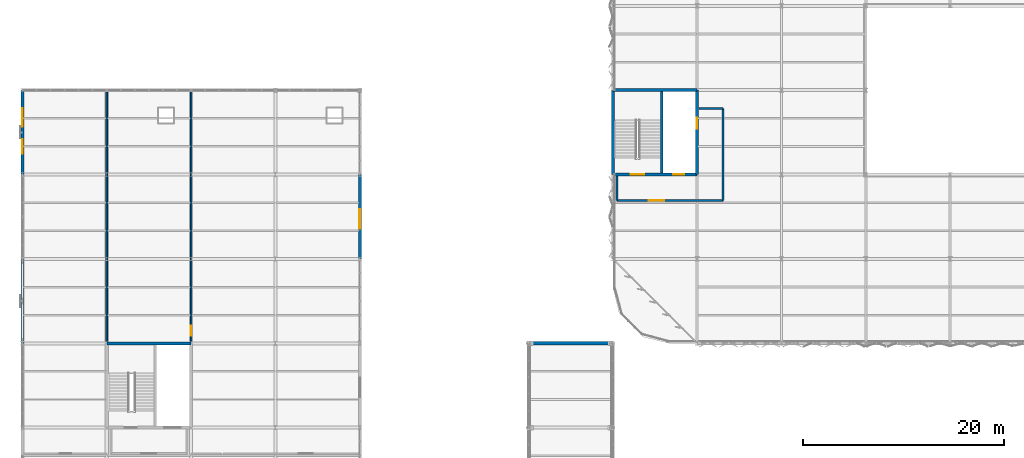
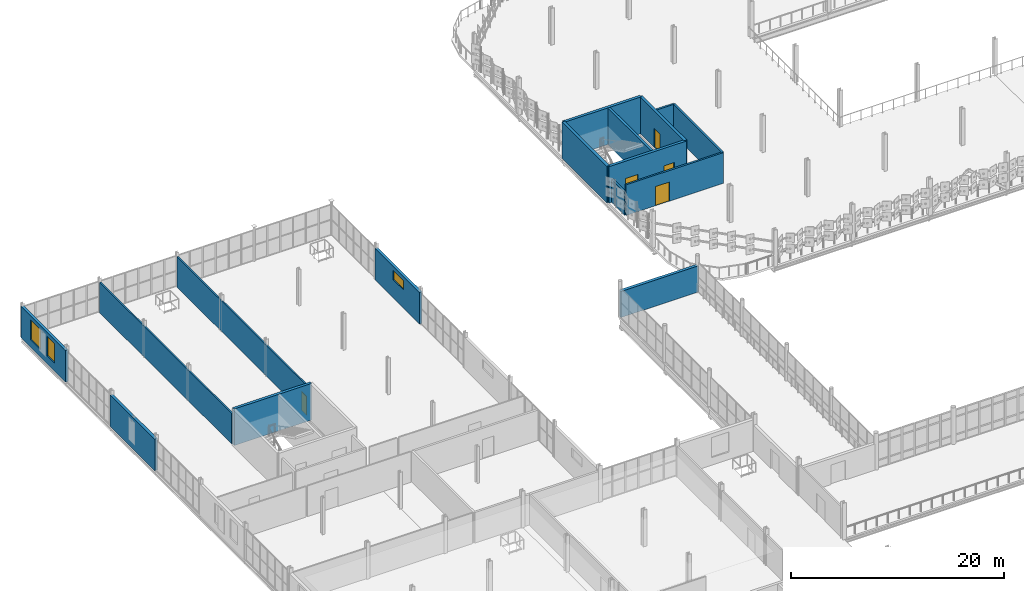
# One storey, part 135 of 163: 16 walls, 5 doors, 3 windows, 8 openings.
"""IFC4 building model written with IfcOpenShell, lengths in metres."""

from ifc_helpers import new_model, si_unit, direction, frame, frame_2d, origin, place, context, subcontext, project, spatial, rectangle, extrude, material, layer, layer_set, type_object, element, fill, save


model = new_model("IFC4")

# Units and contexts
model_context = context("Model", 3, precision=1e-05, world=origin(), true_north=direction((0.0, 1.0)))
body_context = subcontext(model_context, "Body", "Model", "MODEL_VIEW")
ifc_project = project(units=[si_unit("LENGTHUNIT", "METRE"), si_unit("AREAUNIT", "SQUARE_METRE"), si_unit("VOLUMEUNIT", "CUBIC_METRE"), si_unit("PLANEANGLEUNIT", "RADIAN"), si_unit("MASSUNIT", "GRAM", prefix="KILO")], contexts=[model_context])

# Site, building, storey
site_placement = place(None, origin())
site = spatial("IfcSite", under=ifc_project, at=site_placement, CompositionType="ELEMENT")
building_placement = place(site_placement, origin())
building = spatial("IfcBuilding", under=site, at=building_placement, Name="Qalvenar Corner Mobility Hub", CompositionType="ELEMENT")
storey_placement = place(building_placement, frame((0.0, 0.0, 4.800048828125)))
storey = spatial("IfcBuildingStorey", under=building, at=storey_placement, Name="L01", CompositionType="ELEMENT", Elevation=4.800048828125)

# Wall
ifc_material_1 = material(Name="Concrete C40/50", Category="concrete")
ifc_layer_1 = layer(ifc_material_1, 0.25)
ifc_layer_set_1 = layer_set([ifc_layer_1], Name="Concrete C40/50")
wall_type_1 = type_object("IfcWallType", Name="WL-CORE250", PredefinedType="SHEAR", material=ifc_layer_set_1)
wall_1_placement = place(storey_placement, frame((63.64990234375, 84.14990234375, 0.0), z_axis=(0.0, 0.0, 1.0), x_axis=(0.0, 1.0, 0.0)))
element("IfcWall", 1, at=wall_1_placement, inside=storey, type_object=wall_type_1, Name="Core Divider Wall C3-L01", PredefinedType="SHEAR", context=body_context, shape_type="SweptSolid", body=[
    extrude(rectangle(XDim=8.10009765625, YDim=0.25, at=frame_2d((4.050048828125, 0.0))), origin(), (0.0, 0.0, 1.0), 4.199951171875),
])

# Wall, openings, doors
ifc_layer_2 = layer(ifc_material_1, 0.300048828125)
ifc_layer_set_2 = layer_set([ifc_layer_2], Name="Concrete C40/50")
wall_type_2 = type_object("IfcWallType", Name="WL-CORE300", PredefinedType="SHEAR", material=ifc_layer_set_2)
wall_2_placement = place(storey_placement, frame((58.800048828125, 84.0, 0.0), z_axis=(0.0, 0.0, 1.0), x_axis=(1.0, 0.0, 0.0)))
wall_2 = element("IfcWall", 2, at=wall_2_placement, inside=storey, type_object=wall_type_2, Name="Core Shear Wall C3-L01-S", PredefinedType="SHEAR", context=body_context, shape_type="SweptSolid", body=[
    extrude(rectangle(XDim=8.39990234375, YDim=0.300048828125, at=frame_2d((4.199951171875, 0.0))), origin(), (0.0, 0.0, 1.0), 4.199951171875),
])
opening_1_placement = place(wall_2_placement, frame((1.800048828125, 0.0, 0.0)))
opening_1 = element("IfcOpeningElement", 3, at=opening_1_placement, cuts=wall_2, Name="Opening DR-123", PredefinedType="OPENING", context=body_context, shape_type="SweptSolid", body=[
    extrude(rectangle(XDim=1.35009765625, YDim=2.199951171875, at=frame_2d((0.675048828125, 1.10009765625))), frame((0.0, 0.16015625, 0.0), z_axis=(0.0, -1.0, 0.0), x_axis=(1.0, 0.0, 0.0)), (0.0, 0.0, 1.0), 0.320068359375),
])
opening_2_placement = place(wall_2_placement, frame((6.0, 0.0, 0.0)))
opening_2 = element("IfcOpeningElement", 4, at=opening_2_placement, cuts=wall_2, Name="Opening DR-124", PredefinedType="OPENING", context=body_context, shape_type="SweptSolid", body=[
    extrude(rectangle(XDim=1.10009765625, YDim=2.199951171875, at=frame_2d((0.550048828125, 1.10009765625))), frame((0.0, 0.16015625, 0.0), z_axis=(0.0, -1.0, 0.0), x_axis=(1.0, 0.0, 0.0)), (0.0, 0.0, 1.0), 0.320068359375),
])
ifc_material_2 = material(Name="Stainless Steel Lift Landing Door", Category="steel")
door_type_1 = type_object("IfcDoorType", Name="DR-LIFT-110", OperationType="SLIDING_TO_LEFT", PredefinedType="DOOR", material=ifc_material_2)
door_1_placement = place(opening_2_placement, origin())
door_1 = element("IfcDoor", 5, at=door_1_placement, inside=storey, type_object=door_type_1, Name="DR-124 Lift Landing Door LP2-L01", OperationType="SLIDING_TO_LEFT", OverallHeight=2.199951171875, OverallWidth=1.10009765625, PredefinedType="DOOR", context=body_context, shape_type="SweptSolid", body=[
    extrude(rectangle(XDim=1.10009765625, YDim=2.199951171875, at=frame_2d((0.550048828125, 1.10009765625))), frame((0.0, 0.02490234375, 0.0), z_axis=(0.0, -1.0, 0.0), x_axis=(1.0, 0.0, 0.0)), (0.0, 0.0, 1.0), 0.050048828125),
])
fill(opening_2, door_1)
ifc_material_3 = material(Name="Fire-Rated Steel Stair Door FD90", Category="steel")
door_type_2 = type_object("IfcDoorType", Name="DR-STAIR-135", OperationType="NOTDEFINED", PredefinedType="DOOR", material=ifc_material_3)
door_2_placement = place(opening_1_placement, origin())
door_2 = element("IfcDoor", 6, at=door_2_placement, inside=storey, type_object=door_type_2, Name="DR-123 Stair Fire Door ST3-L01", OperationType="SINGLE_SWING_RIGHT", OverallHeight=2.199951171875, OverallWidth=1.35009765625, PredefinedType="DOOR", context=body_context, shape_type="SweptSolid", body=[
    extrude(rectangle(XDim=1.35009765625, YDim=2.199951171875, at=frame_2d((0.675048828125, 1.10009765625))), frame((0.0, 0.02490234375, 0.0), z_axis=(0.0, -1.0, 0.0), x_axis=(1.0, 0.0, 0.0)), (0.0, 0.0, 1.0), 0.050048828125),
])
fill(opening_1, door_2)

# Wall, opening, door
wall_3_placement = place(storey_placement, frame((67.199951171875, 84.0, 0.0), z_axis=(0.0, 0.0, 1.0), x_axis=(0.0, 1.0, 0.0)))
wall_3 = element("IfcWall", 7, at=wall_3_placement, inside=storey, type_object=wall_type_2, Name="Core Shear Wall C3-L01-E", PredefinedType="SHEAR", context=body_context, shape_type="SweptSolid", body=[
    extrude(rectangle(XDim=8.39990234375, YDim=0.300048828125, at=frame_2d((4.199951171875, 0.0))), origin(), (0.0, 0.0, 1.0), 4.199951171875),
])
opening_3_placement = place(wall_3_placement, frame((4.550048828125, 0.0, 0.0)))
opening_3 = element("IfcOpeningElement", 8, at=opening_3_placement, cuts=wall_3, Name="Opening DR-125", PredefinedType="OPENING", context=body_context, shape_type="SweptSolid", body=[
    extrude(rectangle(XDim=1.10009765625, YDim=2.199951171875, at=frame_2d((0.550048828125, 1.10009765625))), frame((0.0, 0.16015625, 0.0), z_axis=(0.0, -1.0, 0.0), x_axis=(1.0, 0.0, 0.0)), (0.0, 0.0, 1.0), 0.320068359375),
])
door_3_placement = place(opening_3_placement, origin())
door_3 = element("IfcDoor", 9, at=door_3_placement, inside=storey, type_object=door_type_1, Name="DR-125 Lift Landing Door LP3-L01", OperationType="SLIDING_TO_RIGHT", OverallHeight=2.199951171875, OverallWidth=1.10009765625, PredefinedType="DOOR", context=body_context, shape_type="SweptSolid", body=[
    extrude(rectangle(XDim=1.10009765625, YDim=2.199951171875, at=frame_2d((0.550048828125, 1.10009765625))), frame((0.0, 0.02490234375, 0.0), z_axis=(0.0, -1.0, 0.0), x_axis=(1.0, 0.0, 0.0)), (0.0, 0.0, 1.0), 0.050048828125),
])
fill(opening_3, door_3)

# Walls
for number, where, z_axis, x_axis, name in (
    (10, (67.199951171875, 92.39990234375, 0.0), (0.0, 0.0, 1.0), (-1.0, 0.0, 0.0), "Core Shear Wall C3-L01-N"),
    (11, (58.800048828125, 92.39990234375, 0.0), (0.0, 0.0, 1.0), (0.0, -1.0, 0.0), "Core Shear Wall C3-L01-W"),
):
    element("IfcWall", number, at=place(storey_placement, frame(where, z_axis=z_axis, x_axis=x_axis)), inside=storey, type_object=wall_type_2, Name=name, PredefinedType="SHEAR", context=body_context, shape_type="SweptSolid", body=[
        extrude(rectangle(XDim=8.39990234375, YDim=0.300048828125, at=frame_2d((4.199951171875, 0.0))), origin(), (0.0, 0.0, 1.0), 4.199951171875),
    ])
wall_4_placement = place(storey_placement, frame((16.800048828125, 67.199951171875, 0.0), z_axis=(0.0, 0.0, 1.0), x_axis=(-1.0, 0.0, 0.0)))
element("IfcWall", 12, at=wall_4_placement, inside=storey, type_object=wall_type_2, Name="Core Shear Wall C5-L01-N", PredefinedType="SHEAR", context=body_context, shape_type="SweptSolid", body=[
    extrude(rectangle(XDim=8.400146484375, YDim=0.300048828125, at=frame_2d((4.2001953125, 0.0))), origin(), (0.0, 0.0, 1.0), 4.199951171875),
])
ifc_material_4 = material(Name="Lahori Fired Clay Brick Masonry", Category="masonry")
ifc_layer_3 = layer(ifc_material_4, 0.300048828125)
ifc_layer_set_3 = layer_set([ifc_layer_3], Name="Lahori Fired Clay Brick Masonry")
wall_type_3 = type_object("IfcWallType", Name="WL-EXT-BRK300", PredefinedType="STANDARD", material=ifc_layer_set_3)
wall_5_placement = place(storey_placement, frame((0.0, 75.60009765625, 0.0), z_axis=(0.0, 0.0, 1.0), x_axis=(0.0, -1.0, 0.0)))
element("IfcWall", 13, at=wall_5_placement, inside=storey, type_object=wall_type_3, Name="Exterior Facade Wall EW-V5-L01-W3", PredefinedType="STANDARD", context=body_context, shape_type="SweptSolid", body=[
    extrude(rectangle(XDim=8.400146484375, YDim=0.300048828125, at=frame_2d((4.2001953125, 0.0))), origin(), (0.0, 0.0, 1.0), 3.619873046875),
])

# Wall, openings, windows
wall_6_placement = place(storey_placement, frame((0.0, 92.39990234375, 0.0), z_axis=(0.0, 0.0, 1.0), x_axis=(0.0, -1.0, 0.0)))
wall_6 = element("IfcWall", 14, at=wall_6_placement, inside=storey, type_object=wall_type_3, Name="Exterior Facade Wall EW-V5-L01-W5", PredefinedType="STANDARD", context=body_context, shape_type="SweptSolid", body=[
    extrude(rectangle(XDim=8.39990234375, YDim=0.300048828125, at=frame_2d((4.199951171875, 0.0))), origin(), (0.0, 0.0, 1.0), 3.619873046875),
])
opening_4_placement = place(wall_6_placement, frame((1.800048828125, 0.0, 0.89990234375)))
opening_4 = element("IfcOpeningElement", 15, at=opening_4_placement, cuts=wall_6, Name="Opening W-33", PredefinedType="OPENING", context=body_context, shape_type="SweptSolid", body=[
    extrude(rectangle(XDim=1.85009765625, YDim=2.25, at=frame_2d((0.925048828125, 1.125))), frame((0.0, 0.16015625, 0.0), z_axis=(0.0, -1.0, 0.0), x_axis=(1.0, 0.0, 0.0)), (0.0, 0.0, 1.0), 0.320068359375),
])
opening_5_placement = place(wall_6_placement, frame((4.89990234375, 0.0, 0.89990234375)))
opening_5 = element("IfcOpeningElement", 16, at=opening_5_placement, cuts=wall_6, Name="Opening W-34", PredefinedType="OPENING", context=body_context, shape_type="SweptSolid", body=[
    extrude(rectangle(XDim=1.449951171875, YDim=2.25, at=frame_2d((0.72509765625, 1.125))), frame((0.0, 0.16015625, 0.0), z_axis=(0.0, -1.0, 0.0), x_axis=(1.0, 0.0, 0.0)), (0.0, 0.0, 1.0), 0.320068359375),
])
ifc_material_5 = material(Name="Solar-Control Double-Glazed Bronze Window", Category="glass")
window_type_1 = type_object("IfcWindowType", Name="WN-CYC-145X225", PartitioningType="SINGLE_PANEL", PredefinedType="WINDOW", material=ifc_material_5)
window_1_placement = place(opening_5_placement, origin())
window_1 = element("IfcWindow", 17, at=window_1_placement, inside=storey, type_object=window_type_1, Name="Facade Window EW-V5-L01-W5-W2", OverallHeight=2.25, OverallWidth=1.449951171875, PartitioningType="SINGLE_PANEL", PredefinedType="WINDOW", context=body_context, shape_type="SweptSolid", body=[
    extrude(rectangle(XDim=1.449951171875, YDim=2.25, at=frame_2d((0.72509765625, 1.125))), frame((0.0, 0.030029296875, 0.0), z_axis=(0.0, -1.0, 0.0), x_axis=(1.0, 0.0, 0.0)), (0.0, 0.0, 1.0), 0.06005859375),
])
fill(opening_5, window_1)
window_type_2 = type_object("IfcWindowType", Name="WN-CYC-185X225", PartitioningType="DOUBLE_PANEL_VERTICAL", PredefinedType="WINDOW", material=ifc_material_5)
window_2_placement = place(opening_4_placement, origin())
window_2 = element("IfcWindow", 18, at=window_2_placement, inside=storey, type_object=window_type_2, Name="Facade Window EW-V5-L01-W5-W1", OverallHeight=2.25, OverallWidth=1.85009765625, PartitioningType="SINGLE_PANEL", PredefinedType="WINDOW", context=body_context, shape_type="SweptSolid", body=[
    extrude(rectangle(XDim=1.85009765625, YDim=2.25, at=frame_2d((0.925048828125, 1.125))), frame((0.0, 0.030029296875, 0.0), z_axis=(0.0, -1.0, 0.0), x_axis=(1.0, 0.0, 0.0)), (0.0, 0.0, 1.0), 0.06005859375),
])
fill(opening_4, window_2)

# Wall, opening, window
wall_7_placement = place(storey_placement, frame((33.60009765625, 75.60009765625, 0.0), z_axis=(0.0, 0.0, 1.0), x_axis=(0.0, 1.0, 0.0)))
wall_7 = element("IfcWall", 19, at=wall_7_placement, inside=storey, type_object=wall_type_3, Name="Exterior Facade Wall EW-V5-L01-E4", PredefinedType="STANDARD", context=body_context, shape_type="SweptSolid", body=[
    extrude(rectangle(XDim=8.39990234375, YDim=0.300048828125, at=frame_2d((4.199951171875, 0.0))), origin(), (0.0, 0.0, 1.0), 3.619873046875),
])
opening_6_placement = place(wall_7_placement, frame((3.0, 0.0, 2.10009765625)))
opening_6 = element("IfcOpeningElement", 20, at=opening_6_placement, cuts=wall_7, Name="Opening W-41", PredefinedType="OPENING", context=body_context, shape_type="SweptSolid", body=[
    extrude(rectangle(XDim=1.949951171875, YDim=1.050048828125, at=frame_2d((0.97509765625, 0.52490234375))), frame((0.0, 0.16015625, 0.0), z_axis=(0.0, -1.0, 0.0), x_axis=(1.0, 0.0, 0.0)), (0.0, 0.0, 1.0), 0.320068359375),
])
window_type_3 = type_object("IfcWindowType", Name="WN-CLR-195X105", PartitioningType="DOUBLE_PANEL_HORIZONTAL", PredefinedType="WINDOW", material=ifc_material_5)
window_3_placement = place(opening_6_placement, origin())
window_3 = element("IfcWindow", 21, at=window_3_placement, inside=storey, type_object=window_type_3, Name="Facade Window EW-V5-L01-E4-W1", OverallHeight=1.050048828125, OverallWidth=1.949951171875, PartitioningType="SINGLE_PANEL", PredefinedType="WINDOW", context=body_context, shape_type="SweptSolid", body=[
    extrude(rectangle(XDim=1.949951171875, YDim=1.050048828125, at=frame_2d((0.97509765625, 0.52490234375))), frame((0.0, 0.030029296875, 0.0), z_axis=(0.0, -1.0, 0.0), x_axis=(1.0, 0.0, 0.0)), (0.0, 0.0, 1.0), 0.06005859375),
])
fill(opening_6, window_3)

# Walls
ifc_material_6 = material(Name="Red Sandstone Ashlar Masonry", Category="masonry")
ifc_layer_4 = layer(ifc_material_6, 0.320068359375)
ifc_layer_set_4 = layer_set([ifc_layer_4], Name="Red Sandstone Ashlar Masonry")
wall_type_4 = type_object("IfcWallType", Name="WL-EXT-SAND320", PredefinedType="STANDARD", material=ifc_layer_set_4)
wall_8_placement = place(storey_placement, frame((58.800048828125, 67.199951171875, 0.0), z_axis=(0.0, 0.0, 1.0), x_axis=(-1.0, 0.0, 0.0)))
element("IfcWall", 22, at=wall_8_placement, inside=storey, type_object=wall_type_4, Name="Exterior Facade Wall EW-BRG-L01-N", PredefinedType="STANDARD", context=body_context, shape_type="SweptSolid", body=[
    extrude(rectangle(XDim=8.400146484375, YDim=0.320068359375, at=frame_2d((4.2001953125, 0.0))), origin(), (0.0, 0.0, 1.0), 3.0),
])
ifc_material_7 = material(Name="Plastered Clay Brick Partition", Category="masonry")
ifc_layer_5 = layer(ifc_material_7, 0.159912109375)
ifc_layer_set_5 = layer_set([ifc_layer_5], Name="Plastered Clay Brick Partition")
wall_type_5 = type_object("IfcWallType", Name="WL-INT160", PredefinedType="PARTITIONING", material=ifc_layer_set_5)
wall_9_placement = place(storey_placement, frame((8.39990234375, 67.39990234375, 0.0), z_axis=(0.0, 0.0, 1.0), x_axis=(0.0, 1.0, 0.0)))
element("IfcWall", 23, at=wall_9_placement, inside=storey, type_object=wall_type_5, Name="Interior Partition PRT-L01-030", PredefinedType="PARTITIONING", context=body_context, shape_type="SweptSolid", body=[
    extrude(rectangle(XDim=24.85009765625, YDim=0.159912109375, at=frame_2d((12.425048828125, 0.0))), origin(), (0.0, 0.0, 1.0), 3.5),
])

# Wall, opening, door
wall_10_placement = place(storey_placement, frame((16.800048828125, 67.39990234375, 0.0), z_axis=(0.0, 0.0, 1.0), x_axis=(0.0, 1.0, 0.0)))
wall_10 = element("IfcWall", 24, at=wall_10_placement, inside=storey, type_object=wall_type_5, Name="Interior Partition PRT-L01-031", PredefinedType="PARTITIONING", context=body_context, shape_type="SweptSolid", body=[
    extrude(rectangle(XDim=24.85009765625, YDim=0.159912109375, at=frame_2d((12.425048828125, 0.0))), origin(), (0.0, 0.0, 1.0), 3.5),
])
opening_7_placement = place(wall_10_placement, frame((0.550048828125, 0.0, 0.0)))
opening_7 = element("IfcOpeningElement", 25, at=opening_7_placement, cuts=wall_10, Name="Opening DR-150", PredefinedType="OPENING", context=body_context, shape_type="SweptSolid", body=[
    extrude(rectangle(XDim=1.0, YDim=2.14990234375, at=frame_2d((0.5, 1.074951171875))), frame((0.0, 0.08984375, 0.0), z_axis=(0.0, -1.0, 0.0), x_axis=(1.0, 0.0, 0.0)), (0.0, 0.0, 1.0), 0.179931640625),
])
ifc_material_8 = material(Name="Hardwood Teak Office Door FD30", Category="wood")
door_type_3 = type_object("IfcDoorType", Name="DR-INT-OFF100", OperationType="NOTDEFINED", PredefinedType="DOOR", material=ifc_material_8)
door_4_placement = place(opening_7_placement, origin())
door_4 = element("IfcDoor", 26, at=door_4_placement, inside=storey, type_object=door_type_3, Name="DR-150 Women and Family Cycle Parking Bay Hall Door", OperationType="SINGLE_SWING_RIGHT", OverallHeight=2.14990234375, OverallWidth=1.0, PredefinedType="DOOR", context=body_context, shape_type="SweptSolid", body=[
    extrude(rectangle(XDim=1.0, YDim=2.14990234375, at=frame_2d((0.5, 1.074951171875))), frame((0.0, 0.02490234375, 0.0), z_axis=(0.0, -1.0, 0.0), x_axis=(1.0, 0.0, 0.0)), (0.0, 0.0, 1.0), 0.050048828125),
])
fill(opening_7, door_4)

# Wall
ifc_material_9 = material(Name="Concrete Blockwork Masonry", Category="masonry")
ifc_layer_6 = layer(ifc_material_9, 0.199951171875)
ifc_layer_set_6 = layer_set([ifc_layer_6], Name="Concrete Blockwork Masonry")
wall_type_6 = type_object("IfcWallType", Name="WL-LOBBY200", PredefinedType="PARTITIONING", material=ifc_layer_set_6)
wall_11_placement = place(storey_placement, frame((59.199951171875, 81.39990234375, 0.0), z_axis=(0.0, 0.0, 1.0), x_axis=(0.0, 1.0, 0.0)))
element("IfcWall", 27, at=wall_11_placement, inside=storey, type_object=wall_type_6, Name="Interior Partition WL-LOB-C3-L01-W", PredefinedType="PARTITIONING", context=body_context, shape_type="SweptSolid", body=[
    extrude(rectangle(XDim=2.4501953125, YDim=0.199951171875, at=frame_2d((1.22509765625, 0.0))), origin(), (0.0, 0.0, 1.0), 2.60986328125),
])

# Wall, opening, door
wall_12_placement = place(storey_placement, frame((59.199951171875, 81.39990234375, 0.0), z_axis=(0.0, 0.0, 1.0), x_axis=(1.0, 0.0, 0.0)))
wall_12 = element("IfcWall", 28, at=wall_12_placement, inside=storey, type_object=wall_type_6, Name="Interior Partition WL-LOB-C3-L01-S", PredefinedType="PARTITIONING", context=body_context, shape_type="SweptSolid", body=[
    extrude(rectangle(XDim=10.550048828125, YDim=0.199951171875, at=frame_2d((5.27490234375, 0.0))), origin(), (0.0, 0.0, 1.0), 3.52001953125),
])
opening_8_placement = place(wall_12_placement, frame((3.199951171875, 0.0, 0.0)))
opening_8 = element("IfcOpeningElement", 29, at=opening_8_placement, cuts=wall_12, Name="Opening DR-126", PredefinedType="OPENING", context=body_context, shape_type="SweptSolid", body=[
    extrude(rectangle(XDim=1.5, YDim=2.199951171875, at=frame_2d((0.75, 1.10009765625))), frame((0.0, 0.10986328125, 0.0), z_axis=(0.0, -1.0, 0.0), x_axis=(1.0, 0.0, 0.0)), (0.0, 0.0, 1.0), 0.219970703125),
])
ifc_material_10 = material(Name="Firefighting Lobby Smoke-Control Door FD60", Category="steel")
door_type_4 = type_object("IfcDoorType", Name="DR-FFLOB-150", OperationType="DOUBLE_DOOR_SINGLE_SWING", PredefinedType="DOOR", material=ifc_material_10)
door_5_placement = place(opening_8_placement, origin())
door_5 = element("IfcDoor", 30, at=door_5_placement, inside=storey, type_object=door_type_4, Name="DR-126 Lift Lobby Smoke Door C3-L01", OperationType="DOUBLE_DOOR_SINGLE_SWING", OverallHeight=2.199951171875, OverallWidth=1.5, PredefinedType="DOOR", context=body_context, shape_type="SweptSolid", body=[
    extrude(rectangle(XDim=1.5, YDim=2.199951171875, at=frame_2d((0.75, 1.10009765625))), frame((0.0, 0.02490234375, 0.0), z_axis=(0.0, -1.0, 0.0), x_axis=(1.0, 0.0, 0.0)), (0.0, 0.0, 1.0), 0.050048828125),
])
fill(opening_8, door_5)

# Walls
wall_13_placement = place(storey_placement, frame((69.75, 81.39990234375, 0.0), z_axis=(0.0, 0.0, 1.0), x_axis=(0.0, 1.0, 0.0)))
element("IfcWall", 31, at=wall_13_placement, inside=storey, type_object=wall_type_6, Name="Interior Partition WL-LOB-C3-L01-E", PredefinedType="PARTITIONING", context=body_context, shape_type="SweptSolid", body=[
    extrude(rectangle(XDim=9.2001953125, YDim=0.199951171875, at=frame_2d((4.60009765625, 0.0))), origin(), (0.0, 0.0, 1.0), 3.52001953125),
])
wall_14_placement = place(storey_placement, frame((67.360107421875, 90.60009765625, 0.0), z_axis=(0.0, 0.0, 1.0), x_axis=(1.0, 0.0, 0.0)))
element("IfcWall", 32, at=wall_14_placement, inside=storey, type_object=wall_type_6, Name="Interior Partition WL-LOB-C3-L01-N", PredefinedType="PARTITIONING", context=body_context, shape_type="SweptSolid", body=[
    extrude(rectangle(XDim=2.389892578125, YDim=0.199951171875, at=frame_2d((1.19482421875, 0.0))), origin(), (0.0, 0.0, 1.0), 3.52001953125),
])

save(model, "model.ifc")
